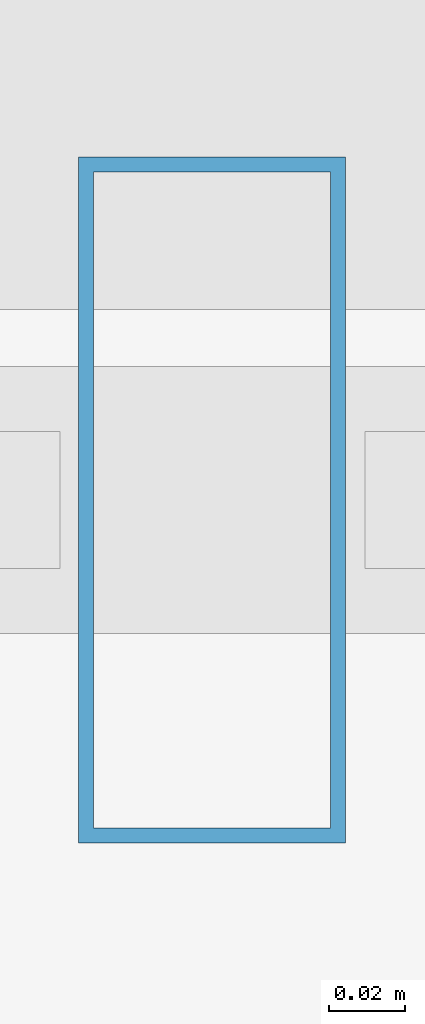
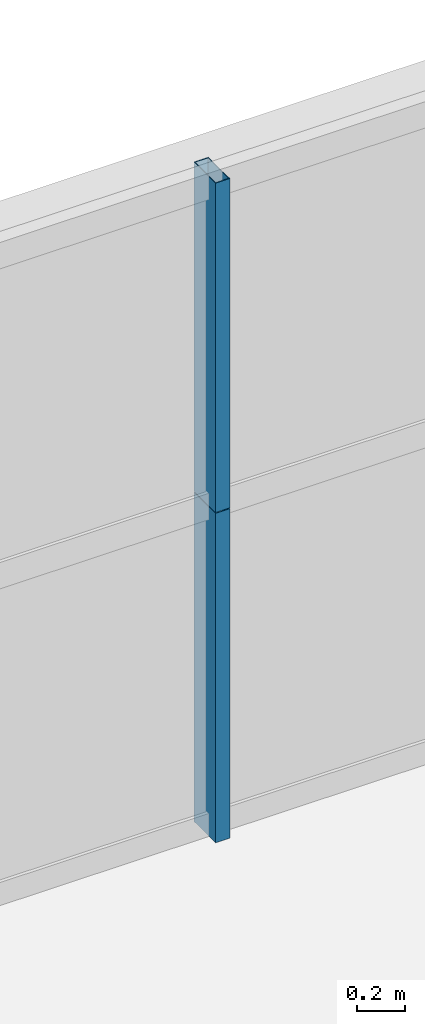
# One storey, part 28 of 43: 2 members, 1 element without a shape of its own.
"""IFC4 building model written with IfcOpenShell, lengths in metres."""

from ifc_helpers import new_model, si_unit, direction, frame, origin, origin_2d, place, context, subcontext, project, spatial, hollow_rectangle, extrude, source, transform, mapped, material, layer, layer_set, material_profile, profile_set, type_object, element, aggregate, save


model = new_model("IFC4")

# Units and contexts
model_context = context("Model", 3, precision=1e-05, world=origin(), true_north=direction((0.0, 1.0)))
body_context = subcontext(model_context, "Body", "Model", "MODEL_VIEW")
ifc_project = project(units=[si_unit("LENGTHUNIT", "METRE"), si_unit("AREAUNIT", "SQUARE_METRE"), si_unit("VOLUMEUNIT", "CUBIC_METRE"), si_unit("PLANEANGLEUNIT", "RADIAN"), si_unit("MASSUNIT", "GRAM", prefix="KILO"), si_unit("THERMODYNAMICTEMPERATUREUNIT", "KELVIN"), si_unit("POWERUNIT", "WATT")], contexts=[model_context])

# Site, building, storey
site_placement = place(None, origin())
site = spatial("IfcSite", under=ifc_project, at=site_placement, CompositionType="ELEMENT")
building_placement = place(site_placement, origin())
building = spatial("IfcBuilding", under=site, at=building_placement, Name="Yuzanri Waterfront Tower", CompositionType="ELEMENT")
storey_placement = place(building_placement, frame((0.0, 0.0, 78.39990234375)))
storey = spatial("IfcBuildingStorey", under=building, at=storey_placement, Name="L20", CompositionType="ELEMENT", Elevation=78.39990234375)

# Curtain wall, members
ifc_material_1 = material(Name="Anodized Architectural Bronze", Category="metal")
ifc_layer = layer(ifc_material_1, 0.159912109375)
ifc_layer_set = layer_set([ifc_layer], Name="Anodized Architectural Bronze")
curtain_wall_type = type_object("IfcCurtainWallType", Name="Anodized Bronze Hotel Lower-Tier Recessed Unitized Curtain Wall 8100", PredefinedType="NOTDEFINED", material=ifc_layer_set)
curtain_wall_placement = place(storey_placement, origin())
curtain_wall = element("IfcCurtainWall", 1, at=curtain_wall_placement, inside=storey, type_object=curtain_wall_type, Name="L20 Curtain Wall CW-L20-NL", PredefinedType="NOTDEFINED")
ifc_material_2 = material(Name="Anodized Architectural Bronze", Category="metal")
ifc_material_profile = material_profile(ifc_material_2, hollow_rectangle(XDim=0.070068359375, YDim=0.179931640625, WallThickness=0.00390625, at=origin_2d()), Name="CWM 70x180")
ifc_profile_set = profile_set([ifc_material_profile], Name="Anodized Architectural Bronze")
member_type = type_object("IfcMemberType", Name="Anodized Bronze Standard Curtain-Wall Mullion 70x180", PredefinedType="MULLION", material=ifc_profile_set)
shared_shape = source(origin(), body_context, "Body", "SweptSolid", [
    extrude(hollow_rectangle(XDim=0.070068359375, YDim=0.179931640625, WallThickness=0.00390625, at=origin_2d()), origin(), (0.0, 0.0, 1.0), 1.68798828125),
])
member_1_placement = place(storey_placement, frame((27.89990234375, 50.75, 0.0), z_axis=(0.0, 0.0, 1.0), x_axis=(1.0, 0.0, 0.0)))
member_1 = element("IfcMember", 2, at=member_1_placement, type_object=member_type, Name="CW-L20-NL Lower Mullion 01", PredefinedType="MULLION", context=body_context, shape_type="MappedRepresentation", body=[
    mapped(shared_shape, transform((0.0, 0.0, 0.0), scale=1.0)),
])
member_2_placement = place(storey_placement, frame((27.89990234375, 50.75, 1.692138671875), z_axis=(0.0, 0.0, 1.0), x_axis=(1.0, 0.0, 0.0)))
member_2 = element("IfcMember", 3, at=member_2_placement, type_object=member_type, Name="CW-L20-NL Upper Mullion 01", PredefinedType="MULLION", context=body_context, shape_type="MappedRepresentation", body=[
    mapped(shared_shape, transform((0.0, 0.0, 0.0), scale=1.0)),
])
aggregate(curtain_wall, [member_1, member_2])

save(model, "model.ifc")
